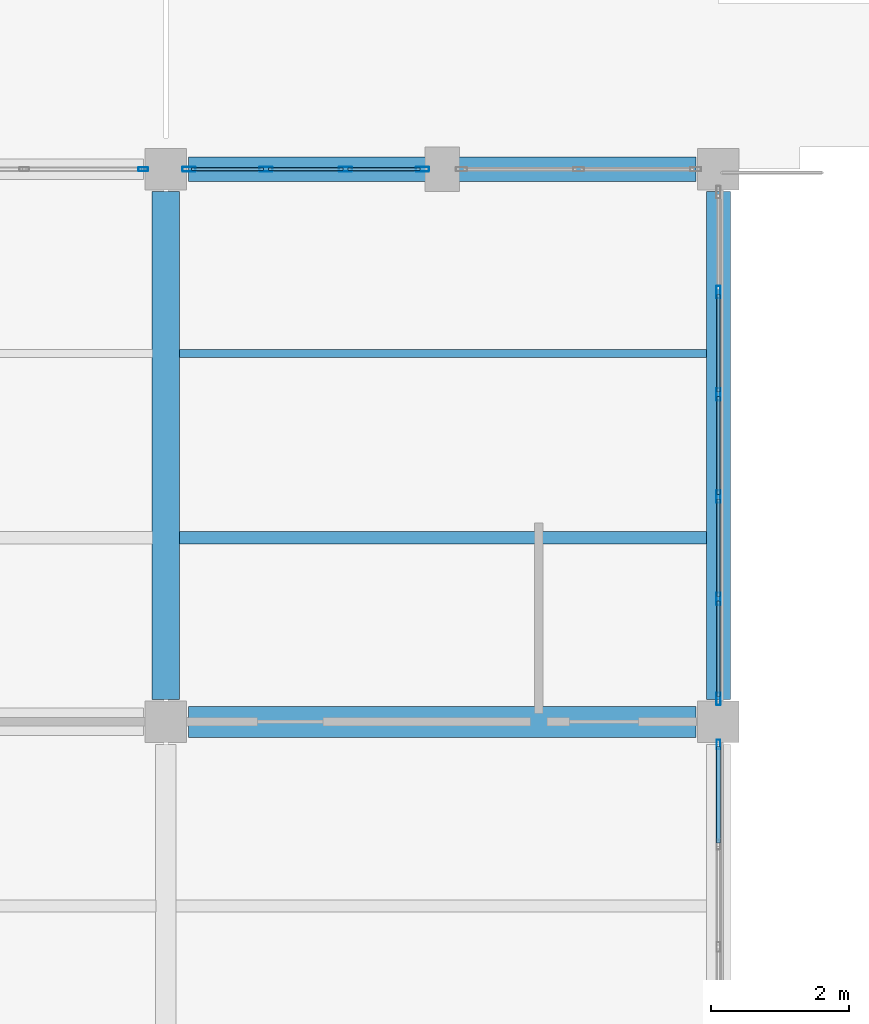
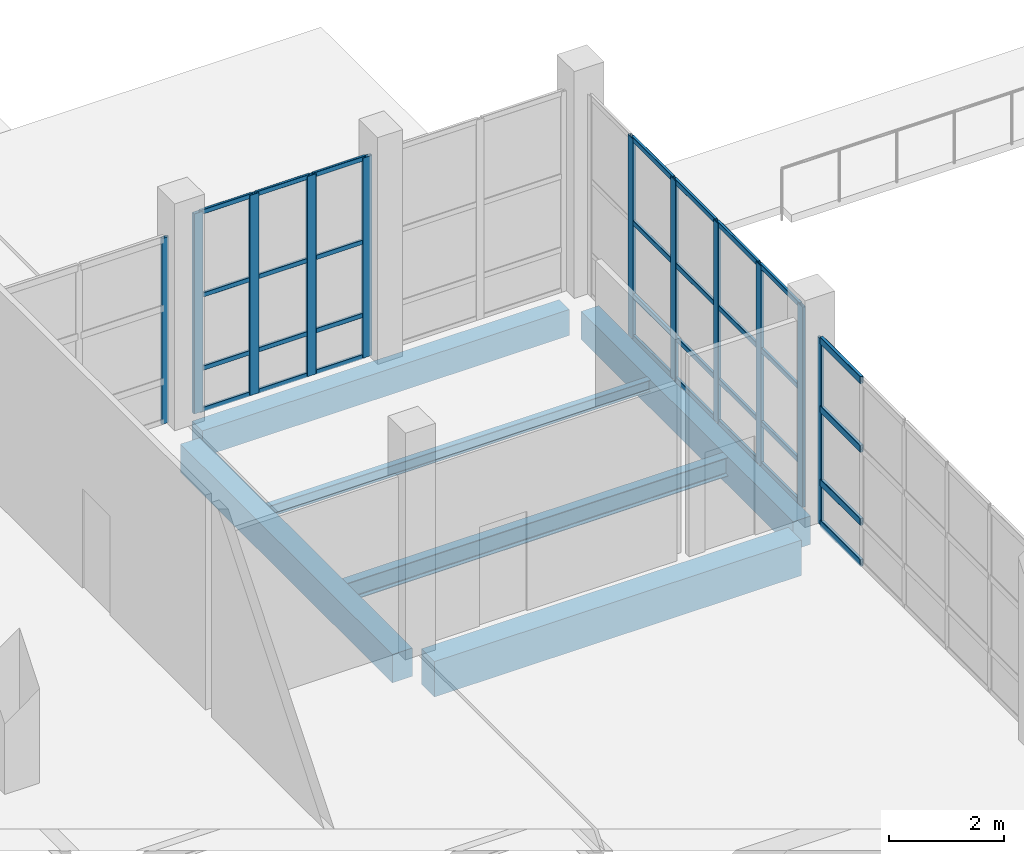
# One storey, part 25 of 156: 43 members, 6 beams, 4 elements without a shape of their own.
"""IFC4 building model written with IfcOpenShell, lengths in metres."""

from ifc_helpers import new_model, si_unit, direction, frame, origin, origin_2d, place, context, subcontext, project, spatial, rectangle, hollow_rectangle, i_section, extrude, material, material_profile, profile_set, type_object, element, aggregate, save


model = new_model("IFC4")

# Units and contexts
model_context = context("Model", 3, precision=1e-05, world=origin(), true_north=direction((0.0, 1.0)))
body_context = subcontext(model_context, "Body", "Model", "MODEL_VIEW")
ifc_project = project(units=[si_unit("LENGTHUNIT", "METRE"), si_unit("AREAUNIT", "SQUARE_METRE"), si_unit("VOLUMEUNIT", "CUBIC_METRE"), si_unit("PLANEANGLEUNIT", "RADIAN"), si_unit("MASSUNIT", "GRAM", prefix="KILO")], contexts=[model_context])

# Site, building, storey
site_placement = place(None, origin())
site = spatial("IfcSite", under=ifc_project, at=site_placement, CompositionType="ELEMENT")
building_placement = place(site_placement, origin())
building = spatial("IfcBuilding", under=site, at=building_placement, Name="Luwemba Playhouse", CompositionType="ELEMENT")
storey_placement = place(building_placement, origin())
storey = spatial("IfcBuildingStorey", under=building, at=storey_placement, Name="L00", CompositionType="ELEMENT", Elevation=0.0)

# Beams
ifc_material_1 = material(Name="Concrete C40/50", Category="concrete")
ifc_material_profile_1 = material_profile(ifc_material_1, rectangle(XDim=0.39990234375, YDim=0.60009765625, at=origin_2d()))
ifc_profile_set_1 = profile_set([ifc_material_profile_1], Name="Concrete C40/50")
beam_type_1 = type_object("IfcBeamType", Name="BM-RB01", PredefinedType="BEAM", material=ifc_profile_set_1)
beam_1_placement = place(storey_placement, frame((52.0, 19.324951171875, -0.60009765625), z_axis=(0.0, 1.0, 0.0), x_axis=(-1.0, 0.0, 0.0)))
element("IfcBeam", 1, at=beam_1_placement, inside=storey, type_object=beam_type_1, Name="L00 transverse girder 0198", PredefinedType="BEAM", context=body_context, shape_type="SweptSolid", body=[
    extrude(rectangle(XDim=0.39990234375, YDim=0.60009765625, at=origin_2d()), origin(), (0.0, 0.0, 1.0), 7.35009765625),
])
ifc_material_profile_2 = material_profile(ifc_material_1, rectangle(XDim=0.449951171875, YDim=0.75, at=origin_2d()))
ifc_profile_set_2 = profile_set([ifc_material_profile_2], Name="Concrete C40/50")
beam_type_2 = type_object("IfcBeamType", Name="BM-RB04", PredefinedType="BEAM", material=ifc_profile_set_2)
beam_2_placement = place(storey_placement, frame((52.324951171875, 19.0, -0.675048828125), z_axis=(1.0, 0.0, 0.0), x_axis=(0.0, 1.0, 0.0)))
element("IfcBeam", 2, at=beam_2_placement, inside=storey, type_object=beam_type_2, Name="L00 grid girder 0170", PredefinedType="BEAM", context=body_context, shape_type="SweptSolid", body=[
    extrude(rectangle(XDim=0.449951171875, YDim=0.75, at=origin_2d()), origin(), (0.0, 0.0, 1.0), 7.35009765625),
])
ifc_material_2 = material(Name="Steel S355", Category="steel")
ifc_material_profile_3 = material_profile(ifc_material_2, i_section(OverallWidth=0.1201171875, OverallDepth=0.239990234375, WebThickness=0.006103515625, FlangeThickness=0.009765625, FilletRadius=0.014892578125, at=origin_2d()))
ifc_profile_set_3 = profile_set([ifc_material_profile_3], Name="Steel S355")
beam_type_3 = type_object("IfcBeamType", Name="BM-SJ03", PredefinedType="JOIST", material=ifc_profile_set_3)
beam_3_placement = place(storey_placement, frame((52.196044921875, 24.333251953125, -0.419921875), z_axis=(1.0, 0.0, 0.0), x_axis=(0.0, 1.0, 0.0)))
element("IfcBeam", 3, at=beam_3_placement, inside=storey, type_object=beam_type_3, Name="L00 composite floor joist 0155", PredefinedType="JOIST", context=body_context, shape_type="SweptSolid", body=[
    extrude(i_section(OverallWidth=0.1201171875, OverallDepth=0.239990234375, WebThickness=0.006103515625, FlangeThickness=0.009765625, FilletRadius=0.014892578125, at=origin_2d()), origin(), (0.0, 0.0, 1.0), 7.633056640625),
])
ifc_material_profile_4 = material_profile(ifc_material_2, i_section(OverallWidth=0.179931640625, OverallDepth=0.39990234375, WebThickness=0.008544921875, FlangeThickness=0.013427734375, FilletRadius=0.02099609375, at=origin_2d()))
ifc_profile_set_4 = profile_set([ifc_material_profile_4], Name="Steel S355")
beam_type_4 = type_object("IfcBeamType", Name="BM-SJ08", PredefinedType="JOIST", material=ifc_profile_set_4)
beam_4_placement = place(storey_placement, frame((52.196044921875, 21.666748046875, -0.5), z_axis=(1.0, 0.0, 0.0), x_axis=(0.0, 1.0, 0.0)))
element("IfcBeam", 4, at=beam_4_placement, inside=storey, type_object=beam_type_4, Name="L00 composite floor joist 0154", PredefinedType="JOIST", context=body_context, shape_type="SweptSolid", body=[
    extrude(i_section(OverallWidth=0.179931640625, OverallDepth=0.39990234375, WebThickness=0.008544921875, FlangeThickness=0.013427734375, FilletRadius=0.02099609375, at=origin_2d()), origin(), (0.0, 0.0, 1.0), 7.633056640625),
])
ifc_material_profile_5 = material_profile(ifc_material_1, rectangle(XDim=0.35009765625, YDim=0.550048828125, at=origin_2d()))
ifc_profile_set_5 = profile_set([ifc_material_profile_5], Name="Concrete C40/50")
beam_type_5 = type_object("IfcBeamType", Name="BM-SP2", PredefinedType="SPANDREL", material=ifc_profile_set_5)
beam_5_placement = place(storey_placement, frame((52.324951171875, 27.0, -0.574951171875), z_axis=(1.0, 0.0, 0.0), x_axis=(0.0, 1.0, 0.0)))
element("IfcBeam", 5, at=beam_5_placement, inside=storey, type_object=beam_type_5, Name="L00 grid girder 0177", PredefinedType="SPANDREL", context=body_context, shape_type="SweptSolid", body=[
    extrude(rectangle(XDim=0.35009765625, YDim=0.550048828125, at=origin_2d()), origin(), (0.0, 0.0, 1.0), 7.35009765625),
])
ifc_material_profile_6 = material_profile(ifc_material_1, rectangle(XDim=0.35009765625, YDim=0.60009765625, at=origin_2d()))
ifc_profile_set_6 = profile_set([ifc_material_profile_6], Name="Concrete C40/50")
beam_type_6 = type_object("IfcBeamType", Name="BM-SP3", PredefinedType="SPANDREL", material=ifc_profile_set_6)
beam_6_placement = place(storey_placement, frame((60.0, 19.324951171875, -0.60009765625), z_axis=(0.0, 1.0, 0.0), x_axis=(-1.0, 0.0, 0.0)))
element("IfcBeam", 6, at=beam_6_placement, inside=storey, type_object=beam_type_6, Name="L00 transverse girder 0201", PredefinedType="SPANDREL", context=body_context, shape_type="SweptSolid", body=[
    extrude(rectangle(XDim=0.35009765625, YDim=0.60009765625, at=origin_2d()), origin(), (0.0, 0.0, 1.0), 7.35009765625),
])

# Curtain wall, members
ifc_material_3 = material(Name="Solar-control double glazing", Category="glass")
curtain_wall_type_1 = type_object("IfcCurtainWallType", Name="CW-CW36", PredefinedType="USERDEFINED", material=ifc_material_3)
curtain_wall_1_placement = place(storey_placement, origin())
curtain_wall_1 = element("IfcCurtainWall", 7, at=curtain_wall_1_placement, inside=storey, type_object=curtain_wall_type_1, Name="L00 V5W unitised curtain wall 040", ObjectType="UNITISED GLAZING", PredefinedType="USERDEFINED")
ifc_material_4 = material(Name="Aluminium 6063-T6", Category="aluminium")
ifc_material_profile_7 = material_profile(ifc_material_4, hollow_rectangle(XDim=0.06494140625, YDim=0.179931640625, WallThickness=0.00439453125, InnerFilletRadius=0.0068359375, OuterFilletRadius=0.01123046875, at=origin_2d()))
ifc_profile_set_7 = profile_set([ifc_material_profile_7], Name="Aluminium 6063-T6")
member_type_1 = type_object("IfcMemberType", Name="CWM-M2", PredefinedType="MULLION", material=ifc_profile_set_7)
member_1_placement = place(storey_placement, frame((60.0, 25.219970703125, 0.0), z_axis=(0.0, 0.0, 1.0), x_axis=(1.0, 0.0, 0.0)))
member_1 = element("IfcMember", 8, at=member_1_placement, type_object=member_type_1, Name="CW36 mullion 2", PredefinedType="MULLION", context=body_context, shape_type="SweptSolid", body=[
    extrude(hollow_rectangle(XDim=0.06494140625, YDim=0.179931640625, WallThickness=0.00439453125, InnerFilletRadius=0.0068359375, OuterFilletRadius=0.01123046875, at=origin_2d()), origin(), (0.0, 0.0, 1.0), 4.235107421875),
])
member_2_placement = place(storey_placement, frame((60.0, 23.739990234375, 0.0), z_axis=(0.0, 0.0, 1.0), x_axis=(1.0, 0.0, 0.0)))
member_2 = element("IfcMember", 9, at=member_2_placement, type_object=member_type_1, Name="CW36 mullion 3", PredefinedType="MULLION", context=body_context, shape_type="SweptSolid", body=[
    extrude(hollow_rectangle(XDim=0.06494140625, YDim=0.179931640625, WallThickness=0.00439453125, InnerFilletRadius=0.0068359375, OuterFilletRadius=0.01123046875, at=origin_2d()), origin(), (0.0, 0.0, 1.0), 4.235107421875),
])
member_3_placement = place(storey_placement, frame((60.0, 22.260009765625, 0.0), z_axis=(0.0, 0.0, 1.0), x_axis=(1.0, 0.0, 0.0)))
member_3 = element("IfcMember", 10, at=member_3_placement, type_object=member_type_1, Name="CW36 mullion 4", PredefinedType="MULLION", context=body_context, shape_type="SweptSolid", body=[
    extrude(hollow_rectangle(XDim=0.06494140625, YDim=0.179931640625, WallThickness=0.00439453125, InnerFilletRadius=0.0068359375, OuterFilletRadius=0.01123046875, at=origin_2d()), origin(), (0.0, 0.0, 1.0), 4.235107421875),
])
member_4_placement = place(storey_placement, frame((60.0, 20.780029296875, 0.0), z_axis=(0.0, 0.0, 1.0), x_axis=(1.0, 0.0, 0.0)))
member_4 = element("IfcMember", 11, at=member_4_placement, type_object=member_type_1, Name="CW36 mullion 5", PredefinedType="MULLION", context=body_context, shape_type="SweptSolid", body=[
    extrude(hollow_rectangle(XDim=0.06494140625, YDim=0.179931640625, WallThickness=0.00439453125, InnerFilletRadius=0.0068359375, OuterFilletRadius=0.01123046875, at=origin_2d()), origin(), (0.0, 0.0, 1.0), 4.235107421875),
])
member_5_placement = place(storey_placement, frame((60.0, 19.33251953125, 0.0), z_axis=(0.0, 0.0, 1.0), x_axis=(1.0, 0.0, 0.0)))
member_5 = element("IfcMember", 12, at=member_5_placement, type_object=member_type_1, Name="CW36 mullion 6", PredefinedType="MULLION", context=body_context, shape_type="SweptSolid", body=[
    extrude(hollow_rectangle(XDim=0.06494140625, YDim=0.179931640625, WallThickness=0.00439453125, InnerFilletRadius=0.0068359375, OuterFilletRadius=0.01123046875, at=origin_2d()), origin(), (0.0, 0.0, 1.0), 4.235107421875),
])

# Curtain wall, member
curtain_wall_type_2 = type_object("IfcCurtainWallType", Name="CW-CW34", PredefinedType="USERDEFINED", material=ifc_material_3)
curtain_wall_2_placement = place(storey_placement, origin())
curtain_wall_2 = element("IfcCurtainWall", 13, at=curtain_wall_2_placement, inside=storey, type_object=curtain_wall_type_2, Name="L00 V5W unitised curtain wall 037", ObjectType="UNITISED GLAZING", PredefinedType="USERDEFINED")
ifc_material_profile_8 = material_profile(ifc_material_4, hollow_rectangle(XDim=0.054931640625, YDim=0.139892578125, WallThickness=0.00390625, InnerFilletRadius=0.006103515625, OuterFilletRadius=0.010009765625, at=origin_2d()))
ifc_profile_set_8 = profile_set([ifc_material_profile_8], Name="Aluminium 6063-T6")
member_type_2 = type_object("IfcMemberType", Name="CWM-M3", PredefinedType="MULLION", material=ifc_profile_set_8)
member_6_placement = place(storey_placement, frame((51.672607421875, 27.0, 0.0), z_axis=(0.0, 0.0, 1.0), x_axis=(0.0, 1.0, 0.0)))
member_6 = element("IfcMember", 14, at=member_6_placement, type_object=member_type_2, Name="CW34 mullion 3", PredefinedType="MULLION", context=body_context, shape_type="SweptSolid", body=[
    extrude(hollow_rectangle(XDim=0.054931640625, YDim=0.139892578125, WallThickness=0.00390625, InnerFilletRadius=0.006103515625, OuterFilletRadius=0.010009765625, at=origin_2d()), origin(), (0.0, 0.0, 1.0), 3.93505859375),
])
aggregate(curtain_wall_2, [member_6])

curtain_wall_type_3 = type_object("IfcCurtainWallType", Name="CW-CW37", PredefinedType="USERDEFINED", material=ifc_material_3)
curtain_wall_3_placement = place(storey_placement, origin())
curtain_wall_3 = element("IfcCurtainWall", 15, at=curtain_wall_3_placement, inside=storey, type_object=curtain_wall_type_3, Name="L00 V5W unitised curtain wall 041", ObjectType="UNITISED GLAZING", PredefinedType="USERDEFINED")
member_7_placement = place(storey_placement, frame((60.0, 18.672607421875, 0.0), z_axis=(0.0, 0.0, 1.0), x_axis=(1.0, 0.0, 0.0)))
member_7 = element("IfcMember", 16, at=member_7_placement, type_object=member_type_2, Name="CW37 mullion 1", PredefinedType="MULLION", context=body_context, shape_type="SweptSolid", body=[
    extrude(hollow_rectangle(XDim=0.054931640625, YDim=0.139892578125, WallThickness=0.00390625, InnerFilletRadius=0.006103515625, OuterFilletRadius=0.010009765625, at=origin_2d()), origin(), (0.0, 0.0, 1.0), 3.93505859375),
])

# Curtain wall, members
curtain_wall_type_4 = type_object("IfcCurtainWallType", Name="CW-CW35", PredefinedType="USERDEFINED", material=ifc_material_3)
curtain_wall_4_placement = place(storey_placement, origin())
curtain_wall_4 = element("IfcCurtainWall", 17, at=curtain_wall_4_placement, inside=storey, type_object=curtain_wall_type_4, Name="L00 V5W unitised curtain wall 038", ObjectType="UNITISED GLAZING", PredefinedType="USERDEFINED")
ifc_material_profile_9 = material_profile(ifc_material_4, hollow_rectangle(XDim=0.070068359375, YDim=0.18994140625, WallThickness=0.0048828125, InnerFilletRadius=0.007568359375, OuterFilletRadius=0.012451171875, at=origin_2d()))
ifc_profile_set_9 = profile_set([ifc_material_profile_9], Name="Aluminium 6063-T6")
member_type_3 = type_object("IfcMemberType", Name="CWM-M4", PredefinedType="MULLION", material=ifc_profile_set_9)
member_8_placement = place(storey_placement, frame((52.3349609375, 27.0, 0.0), z_axis=(0.0, 0.0, 1.0), x_axis=(0.0, 1.0, 0.0)))
member_8 = element("IfcMember", 18, at=member_8_placement, type_object=member_type_3, Name="CW35 mullion 1", PredefinedType="MULLION", context=body_context, shape_type="SweptSolid", body=[
    extrude(hollow_rectangle(XDim=0.070068359375, YDim=0.18994140625, WallThickness=0.0048828125, InnerFilletRadius=0.007568359375, OuterFilletRadius=0.012451171875, at=origin_2d()), origin(), (0.0, 0.0, 1.0), 4.235107421875),
])
member_9_placement = place(storey_placement, frame((53.449951171875, 27.0, 0.0), z_axis=(0.0, 0.0, 1.0), x_axis=(0.0, 1.0, 0.0)))
member_9 = element("IfcMember", 19, at=member_9_placement, type_object=member_type_3, Name="CW35 mullion 2", PredefinedType="MULLION", context=body_context, shape_type="SweptSolid", body=[
    extrude(hollow_rectangle(XDim=0.070068359375, YDim=0.18994140625, WallThickness=0.0048828125, InnerFilletRadius=0.007568359375, OuterFilletRadius=0.012451171875, at=origin_2d()), origin(), (0.0, 0.0, 1.0), 4.235107421875),
])
member_10_placement = place(storey_placement, frame((54.60009765625, 27.0, 0.0), z_axis=(0.0, 0.0, 1.0), x_axis=(0.0, 1.0, 0.0)))
member_10 = element("IfcMember", 20, at=member_10_placement, type_object=member_type_3, Name="CW35 mullion 3", PredefinedType="MULLION", context=body_context, shape_type="SweptSolid", body=[
    extrude(hollow_rectangle(XDim=0.070068359375, YDim=0.18994140625, WallThickness=0.0048828125, InnerFilletRadius=0.007568359375, OuterFilletRadius=0.012451171875, at=origin_2d()), origin(), (0.0, 0.0, 1.0), 4.235107421875),
])
member_11_placement = place(storey_placement, frame((55.715087890625, 27.0, 0.0), z_axis=(0.0, 0.0, 1.0), x_axis=(0.0, 1.0, 0.0)))
member_11 = element("IfcMember", 21, at=member_11_placement, type_object=member_type_3, Name="CW35 mullion 4", PredefinedType="MULLION", context=body_context, shape_type="SweptSolid", body=[
    extrude(hollow_rectangle(XDim=0.070068359375, YDim=0.18994140625, WallThickness=0.0048828125, InnerFilletRadius=0.007568359375, OuterFilletRadius=0.012451171875, at=origin_2d()), origin(), (0.0, 0.0, 1.0), 4.235107421875),
])

# Member
ifc_material_profile_10 = material_profile(ifc_material_4, hollow_rectangle(XDim=0.054931640625, YDim=0.110107421875, WallThickness=0.00341796875, InnerFilletRadius=0.00537109375, OuterFilletRadius=0.0087890625, at=origin_2d()))
ifc_profile_set_10 = profile_set([ifc_material_profile_10], Name="Aluminium 6063-T6")
member_type_4 = type_object("IfcMemberType", Name="CWT-T2", PredefinedType="USERDEFINED", material=ifc_profile_set_10)
member_12_placement = place(storey_placement, frame((60.0, 25.1875, 0.027587890625), z_axis=(0.0, -1.0, 0.0), x_axis=(1.0, 0.0, 0.0)))
member_12 = element("IfcMember", 22, at=member_12_placement, type_object=member_type_4, Name="CW36 transom 2.1", ObjectType="TRANSOM", PredefinedType="USERDEFINED", context=body_context, shape_type="SweptSolid", body=[
    extrude(hollow_rectangle(XDim=0.054931640625, YDim=0.110107421875, WallThickness=0.00341796875, InnerFilletRadius=0.00537109375, OuterFilletRadius=0.0087890625, at=origin_2d()), origin(), (0.0, 0.0, 1.0), 1.4150390625),
])

member_13_placement = place(storey_placement, frame((60.0, 25.1875, 0.89990234375), z_axis=(0.0, -1.0, 0.0), x_axis=(1.0, 0.0, 0.0)))
member_13 = element("IfcMember", 23, at=member_13_placement, type_object=member_type_4, Name="CW36 transom 2.2", ObjectType="TRANSOM", PredefinedType="USERDEFINED", context=body_context, shape_type="SweptSolid", body=[
    extrude(hollow_rectangle(XDim=0.054931640625, YDim=0.110107421875, WallThickness=0.00341796875, InnerFilletRadius=0.00537109375, OuterFilletRadius=0.0087890625, at=origin_2d()), origin(), (0.0, 0.0, 1.0), 1.4150390625),
])

member_14_placement = place(storey_placement, frame((60.0, 25.1875, 2.449951171875), z_axis=(0.0, -1.0, 0.0), x_axis=(1.0, 0.0, 0.0)))
member_14 = element("IfcMember", 24, at=member_14_placement, type_object=member_type_4, Name="CW36 transom 2.3", ObjectType="TRANSOM", PredefinedType="USERDEFINED", context=body_context, shape_type="SweptSolid", body=[
    extrude(hollow_rectangle(XDim=0.054931640625, YDim=0.110107421875, WallThickness=0.00341796875, InnerFilletRadius=0.00537109375, OuterFilletRadius=0.0087890625, at=origin_2d()), origin(), (0.0, 0.0, 1.0), 1.4150390625),
])

member_15_placement = place(storey_placement, frame((60.0, 25.1875, 4.20751953125), z_axis=(0.0, -1.0, 0.0), x_axis=(1.0, 0.0, 0.0)))
member_15 = element("IfcMember", 25, at=member_15_placement, type_object=member_type_4, Name="CW36 transom 2.4", ObjectType="TRANSOM", PredefinedType="USERDEFINED", context=body_context, shape_type="SweptSolid", body=[
    extrude(hollow_rectangle(XDim=0.054931640625, YDim=0.110107421875, WallThickness=0.00341796875, InnerFilletRadius=0.00537109375, OuterFilletRadius=0.0087890625, at=origin_2d()), origin(), (0.0, 0.0, 1.0), 1.4150390625),
])

member_16_placement = place(storey_placement, frame((60.0, 23.70751953125, 0.027587890625), z_axis=(0.0, -1.0, 0.0), x_axis=(1.0, 0.0, 0.0)))
member_16 = element("IfcMember", 26, at=member_16_placement, type_object=member_type_4, Name="CW36 transom 3.1", ObjectType="TRANSOM", PredefinedType="USERDEFINED", context=body_context, shape_type="SweptSolid", body=[
    extrude(hollow_rectangle(XDim=0.054931640625, YDim=0.110107421875, WallThickness=0.00341796875, InnerFilletRadius=0.00537109375, OuterFilletRadius=0.0087890625, at=origin_2d()), origin(), (0.0, 0.0, 1.0), 1.4150390625),
])

member_17_placement = place(storey_placement, frame((60.0, 23.70751953125, 0.89990234375), z_axis=(0.0, -1.0, 0.0), x_axis=(1.0, 0.0, 0.0)))
member_17 = element("IfcMember", 27, at=member_17_placement, type_object=member_type_4, Name="CW36 transom 3.2", ObjectType="TRANSOM", PredefinedType="USERDEFINED", context=body_context, shape_type="SweptSolid", body=[
    extrude(hollow_rectangle(XDim=0.054931640625, YDim=0.110107421875, WallThickness=0.00341796875, InnerFilletRadius=0.00537109375, OuterFilletRadius=0.0087890625, at=origin_2d()), origin(), (0.0, 0.0, 1.0), 1.4150390625),
])

member_18_placement = place(storey_placement, frame((60.0, 23.70751953125, 2.449951171875), z_axis=(0.0, -1.0, 0.0), x_axis=(1.0, 0.0, 0.0)))
member_18 = element("IfcMember", 28, at=member_18_placement, type_object=member_type_4, Name="CW36 transom 3.3", ObjectType="TRANSOM", PredefinedType="USERDEFINED", context=body_context, shape_type="SweptSolid", body=[
    extrude(hollow_rectangle(XDim=0.054931640625, YDim=0.110107421875, WallThickness=0.00341796875, InnerFilletRadius=0.00537109375, OuterFilletRadius=0.0087890625, at=origin_2d()), origin(), (0.0, 0.0, 1.0), 1.4150390625),
])

member_19_placement = place(storey_placement, frame((60.0, 23.70751953125, 4.20751953125), z_axis=(0.0, -1.0, 0.0), x_axis=(1.0, 0.0, 0.0)))
member_19 = element("IfcMember", 29, at=member_19_placement, type_object=member_type_4, Name="CW36 transom 3.4", ObjectType="TRANSOM", PredefinedType="USERDEFINED", context=body_context, shape_type="SweptSolid", body=[
    extrude(hollow_rectangle(XDim=0.054931640625, YDim=0.110107421875, WallThickness=0.00341796875, InnerFilletRadius=0.00537109375, OuterFilletRadius=0.0087890625, at=origin_2d()), origin(), (0.0, 0.0, 1.0), 1.4150390625),
])

member_20_placement = place(storey_placement, frame((60.0, 22.2275390625, 0.027587890625), z_axis=(0.0, -1.0, 0.0), x_axis=(1.0, 0.0, 0.0)))
member_20 = element("IfcMember", 30, at=member_20_placement, type_object=member_type_4, Name="CW36 transom 4.1", ObjectType="TRANSOM", PredefinedType="USERDEFINED", context=body_context, shape_type="SweptSolid", body=[
    extrude(hollow_rectangle(XDim=0.054931640625, YDim=0.110107421875, WallThickness=0.00341796875, InnerFilletRadius=0.00537109375, OuterFilletRadius=0.0087890625, at=origin_2d()), origin(), (0.0, 0.0, 1.0), 1.4150390625),
])

member_21_placement = place(storey_placement, frame((60.0, 22.2275390625, 0.89990234375), z_axis=(0.0, -1.0, 0.0), x_axis=(1.0, 0.0, 0.0)))
member_21 = element("IfcMember", 31, at=member_21_placement, type_object=member_type_4, Name="CW36 transom 4.2", ObjectType="TRANSOM", PredefinedType="USERDEFINED", context=body_context, shape_type="SweptSolid", body=[
    extrude(hollow_rectangle(XDim=0.054931640625, YDim=0.110107421875, WallThickness=0.00341796875, InnerFilletRadius=0.00537109375, OuterFilletRadius=0.0087890625, at=origin_2d()), origin(), (0.0, 0.0, 1.0), 1.4150390625),
])

member_22_placement = place(storey_placement, frame((60.0, 22.2275390625, 2.449951171875), z_axis=(0.0, -1.0, 0.0), x_axis=(1.0, 0.0, 0.0)))
member_22 = element("IfcMember", 32, at=member_22_placement, type_object=member_type_4, Name="CW36 transom 4.3", ObjectType="TRANSOM", PredefinedType="USERDEFINED", context=body_context, shape_type="SweptSolid", body=[
    extrude(hollow_rectangle(XDim=0.054931640625, YDim=0.110107421875, WallThickness=0.00341796875, InnerFilletRadius=0.00537109375, OuterFilletRadius=0.0087890625, at=origin_2d()), origin(), (0.0, 0.0, 1.0), 1.4150390625),
])

member_23_placement = place(storey_placement, frame((60.0, 22.2275390625, 4.20751953125), z_axis=(0.0, -1.0, 0.0), x_axis=(1.0, 0.0, 0.0)))
member_23 = element("IfcMember", 33, at=member_23_placement, type_object=member_type_4, Name="CW36 transom 4.4", ObjectType="TRANSOM", PredefinedType="USERDEFINED", context=body_context, shape_type="SweptSolid", body=[
    extrude(hollow_rectangle(XDim=0.054931640625, YDim=0.110107421875, WallThickness=0.00341796875, InnerFilletRadius=0.00537109375, OuterFilletRadius=0.0087890625, at=origin_2d()), origin(), (0.0, 0.0, 1.0), 1.4150390625),
])

member_24_placement = place(storey_placement, frame((60.0, 20.74755859375, 0.027587890625), z_axis=(0.0, -1.0, 0.0), x_axis=(1.0, 0.0, 0.0)))
member_24 = element("IfcMember", 34, at=member_24_placement, type_object=member_type_4, Name="CW36 transom 5.1", ObjectType="TRANSOM", PredefinedType="USERDEFINED", context=body_context, shape_type="SweptSolid", body=[
    extrude(hollow_rectangle(XDim=0.054931640625, YDim=0.110107421875, WallThickness=0.00341796875, InnerFilletRadius=0.00537109375, OuterFilletRadius=0.0087890625, at=origin_2d()), origin(), (0.0, 0.0, 1.0), 1.382568359375),
])

member_25_placement = place(storey_placement, frame((60.0, 20.74755859375, 0.89990234375), z_axis=(0.0, -1.0, 0.0), x_axis=(1.0, 0.0, 0.0)))
member_25 = element("IfcMember", 35, at=member_25_placement, type_object=member_type_4, Name="CW36 transom 5.2", ObjectType="TRANSOM", PredefinedType="USERDEFINED", context=body_context, shape_type="SweptSolid", body=[
    extrude(hollow_rectangle(XDim=0.054931640625, YDim=0.110107421875, WallThickness=0.00341796875, InnerFilletRadius=0.00537109375, OuterFilletRadius=0.0087890625, at=origin_2d()), origin(), (0.0, 0.0, 1.0), 1.382568359375),
])

member_26_placement = place(storey_placement, frame((60.0, 20.74755859375, 2.449951171875), z_axis=(0.0, -1.0, 0.0), x_axis=(1.0, 0.0, 0.0)))
member_26 = element("IfcMember", 36, at=member_26_placement, type_object=member_type_4, Name="CW36 transom 5.3", ObjectType="TRANSOM", PredefinedType="USERDEFINED", context=body_context, shape_type="SweptSolid", body=[
    extrude(hollow_rectangle(XDim=0.054931640625, YDim=0.110107421875, WallThickness=0.00341796875, InnerFilletRadius=0.00537109375, OuterFilletRadius=0.0087890625, at=origin_2d()), origin(), (0.0, 0.0, 1.0), 1.382568359375),
])

member_27_placement = place(storey_placement, frame((60.0, 20.74755859375, 4.20751953125), z_axis=(0.0, -1.0, 0.0), x_axis=(1.0, 0.0, 0.0)))
member_27 = element("IfcMember", 37, at=member_27_placement, type_object=member_type_4, Name="CW36 transom 5.4", ObjectType="TRANSOM", PredefinedType="USERDEFINED", context=body_context, shape_type="SweptSolid", body=[
    extrude(hollow_rectangle(XDim=0.054931640625, YDim=0.110107421875, WallThickness=0.00341796875, InnerFilletRadius=0.00537109375, OuterFilletRadius=0.0087890625, at=origin_2d()), origin(), (0.0, 0.0, 1.0), 1.382568359375),
])

aggregate(curtain_wall_1, [member_1, member_2, member_3, member_4, member_5, member_12, member_13, member_14, member_15, member_16, member_17, member_18, member_19, member_20, member_21, member_22, member_23, member_24, member_25, member_26, member_27])

ifc_material_profile_11 = material_profile(ifc_material_4, hollow_rectangle(XDim=0.06494140625, YDim=0.14990234375, WallThickness=0.00390625, InnerFilletRadius=0.006103515625, OuterFilletRadius=0.010009765625, at=origin_2d()))
ifc_profile_set_11 = profile_set([ifc_material_profile_11], Name="Aluminium 6063-T6")
member_type_5 = type_object("IfcMemberType", Name="CWT-T3", PredefinedType="USERDEFINED", material=ifc_profile_set_11)
member_28_placement = place(storey_placement, frame((60.0, 18.64501953125, 0.032470703125), z_axis=(0.0, -1.0, 0.0), x_axis=(1.0, 0.0, 0.0)))
member_28 = element("IfcMember", 38, at=member_28_placement, type_object=member_type_5, Name="CW37 transom 1.1", ObjectType="TRANSOM", PredefinedType="USERDEFINED", context=body_context, shape_type="SweptSolid", body=[
    extrude(hollow_rectangle(XDim=0.06494140625, YDim=0.14990234375, WallThickness=0.00390625, InnerFilletRadius=0.006103515625, OuterFilletRadius=0.010009765625, at=origin_2d()), origin(), (0.0, 0.0, 1.0), 1.3974609375),
])

member_29_placement = place(storey_placement, frame((60.0, 18.64501953125, 0.89990234375), z_axis=(0.0, -1.0, 0.0), x_axis=(1.0, 0.0, 0.0)))
member_29 = element("IfcMember", 39, at=member_29_placement, type_object=member_type_5, Name="CW37 transom 1.2", ObjectType="TRANSOM", PredefinedType="USERDEFINED", context=body_context, shape_type="SweptSolid", body=[
    extrude(hollow_rectangle(XDim=0.06494140625, YDim=0.14990234375, WallThickness=0.00390625, InnerFilletRadius=0.006103515625, OuterFilletRadius=0.010009765625, at=origin_2d()), origin(), (0.0, 0.0, 1.0), 1.3974609375),
])

member_30_placement = place(storey_placement, frame((60.0, 18.64501953125, 2.449951171875), z_axis=(0.0, -1.0, 0.0), x_axis=(1.0, 0.0, 0.0)))
member_30 = element("IfcMember", 40, at=member_30_placement, type_object=member_type_5, Name="CW37 transom 1.3", ObjectType="TRANSOM", PredefinedType="USERDEFINED", context=body_context, shape_type="SweptSolid", body=[
    extrude(hollow_rectangle(XDim=0.06494140625, YDim=0.14990234375, WallThickness=0.00390625, InnerFilletRadius=0.006103515625, OuterFilletRadius=0.010009765625, at=origin_2d()), origin(), (0.0, 0.0, 1.0), 1.3974609375),
])

member_31_placement = place(storey_placement, frame((60.0, 18.64501953125, 3.902587890625), z_axis=(0.0, -1.0, 0.0), x_axis=(1.0, 0.0, 0.0)))
member_31 = element("IfcMember", 41, at=member_31_placement, type_object=member_type_5, Name="CW37 transom 1.4", ObjectType="TRANSOM", PredefinedType="USERDEFINED", context=body_context, shape_type="SweptSolid", body=[
    extrude(hollow_rectangle(XDim=0.06494140625, YDim=0.14990234375, WallThickness=0.00390625, InnerFilletRadius=0.006103515625, OuterFilletRadius=0.010009765625, at=origin_2d()), origin(), (0.0, 0.0, 1.0), 1.3974609375),
])

aggregate(curtain_wall_3, [member_7, member_28, member_29, member_30, member_31])

ifc_material_profile_12 = material_profile(ifc_material_4, hollow_rectangle(XDim=0.050048828125, YDim=0.10009765625, WallThickness=0.00341796875, InnerFilletRadius=0.00537109375, OuterFilletRadius=0.0087890625, at=origin_2d()))
ifc_profile_set_12 = profile_set([ifc_material_profile_12], Name="Aluminium 6063-T6")
member_type_6 = type_object("IfcMemberType", Name="CWT-T4", PredefinedType="USERDEFINED", material=ifc_profile_set_12)
member_32_placement = place(storey_placement, frame((52.3701171875, 27.0, 0.02490234375), z_axis=(1.0, 0.0, 0.0), x_axis=(0.0, 1.0, 0.0)))
member_32 = element("IfcMember", 42, at=member_32_placement, type_object=member_type_6, Name="CW35 transom 1.1", ObjectType="TRANSOM", PredefinedType="USERDEFINED", context=body_context, shape_type="SweptSolid", body=[
    extrude(hollow_rectangle(XDim=0.050048828125, YDim=0.10009765625, WallThickness=0.00341796875, InnerFilletRadius=0.00537109375, OuterFilletRadius=0.0087890625, at=origin_2d()), origin(), (0.0, 0.0, 1.0), 1.044921875),
])

member_33_placement = place(storey_placement, frame((52.3701171875, 27.0, 0.89990234375), z_axis=(1.0, 0.0, 0.0), x_axis=(0.0, 1.0, 0.0)))
member_33 = element("IfcMember", 43, at=member_33_placement, type_object=member_type_6, Name="CW35 transom 1.2", ObjectType="TRANSOM", PredefinedType="USERDEFINED", context=body_context, shape_type="SweptSolid", body=[
    extrude(hollow_rectangle(XDim=0.050048828125, YDim=0.10009765625, WallThickness=0.00341796875, InnerFilletRadius=0.00537109375, OuterFilletRadius=0.0087890625, at=origin_2d()), origin(), (0.0, 0.0, 1.0), 1.044921875),
])

member_34_placement = place(storey_placement, frame((52.3701171875, 27.0, 2.449951171875), z_axis=(1.0, 0.0, 0.0), x_axis=(0.0, 1.0, 0.0)))
member_34 = element("IfcMember", 44, at=member_34_placement, type_object=member_type_6, Name="CW35 transom 1.3", ObjectType="TRANSOM", PredefinedType="USERDEFINED", context=body_context, shape_type="SweptSolid", body=[
    extrude(hollow_rectangle(XDim=0.050048828125, YDim=0.10009765625, WallThickness=0.00341796875, InnerFilletRadius=0.00537109375, OuterFilletRadius=0.0087890625, at=origin_2d()), origin(), (0.0, 0.0, 1.0), 1.044921875),
])

member_35_placement = place(storey_placement, frame((52.3701171875, 27.0, 4.2099609375), z_axis=(1.0, 0.0, 0.0), x_axis=(0.0, 1.0, 0.0)))
member_35 = element("IfcMember", 45, at=member_35_placement, type_object=member_type_6, Name="CW35 transom 1.4", ObjectType="TRANSOM", PredefinedType="USERDEFINED", context=body_context, shape_type="SweptSolid", body=[
    extrude(hollow_rectangle(XDim=0.050048828125, YDim=0.10009765625, WallThickness=0.00341796875, InnerFilletRadius=0.00537109375, OuterFilletRadius=0.0087890625, at=origin_2d()), origin(), (0.0, 0.0, 1.0), 1.044921875),
])

member_36_placement = place(storey_placement, frame((53.485107421875, 27.0, 0.02490234375), z_axis=(1.0, 0.0, 0.0), x_axis=(0.0, 1.0, 0.0)))
member_36 = element("IfcMember", 46, at=member_36_placement, type_object=member_type_6, Name="CW35 transom 2.1", ObjectType="TRANSOM", PredefinedType="USERDEFINED", context=body_context, shape_type="SweptSolid", body=[
    extrude(hollow_rectangle(XDim=0.050048828125, YDim=0.10009765625, WallThickness=0.00341796875, InnerFilletRadius=0.00537109375, OuterFilletRadius=0.0087890625, at=origin_2d()), origin(), (0.0, 0.0, 1.0), 1.079833984375),
])

member_37_placement = place(storey_placement, frame((53.485107421875, 27.0, 0.89990234375), z_axis=(1.0, 0.0, 0.0), x_axis=(0.0, 1.0, 0.0)))
member_37 = element("IfcMember", 47, at=member_37_placement, type_object=member_type_6, Name="CW35 transom 2.2", ObjectType="TRANSOM", PredefinedType="USERDEFINED", context=body_context, shape_type="SweptSolid", body=[
    extrude(hollow_rectangle(XDim=0.050048828125, YDim=0.10009765625, WallThickness=0.00341796875, InnerFilletRadius=0.00537109375, OuterFilletRadius=0.0087890625, at=origin_2d()), origin(), (0.0, 0.0, 1.0), 1.079833984375),
])

member_38_placement = place(storey_placement, frame((53.485107421875, 27.0, 2.449951171875), z_axis=(1.0, 0.0, 0.0), x_axis=(0.0, 1.0, 0.0)))
member_38 = element("IfcMember", 48, at=member_38_placement, type_object=member_type_6, Name="CW35 transom 2.3", ObjectType="TRANSOM", PredefinedType="USERDEFINED", context=body_context, shape_type="SweptSolid", body=[
    extrude(hollow_rectangle(XDim=0.050048828125, YDim=0.10009765625, WallThickness=0.00341796875, InnerFilletRadius=0.00537109375, OuterFilletRadius=0.0087890625, at=origin_2d()), origin(), (0.0, 0.0, 1.0), 1.079833984375),
])

member_39_placement = place(storey_placement, frame((53.485107421875, 27.0, 4.2099609375), z_axis=(1.0, 0.0, 0.0), x_axis=(0.0, 1.0, 0.0)))
member_39 = element("IfcMember", 49, at=member_39_placement, type_object=member_type_6, Name="CW35 transom 2.4", ObjectType="TRANSOM", PredefinedType="USERDEFINED", context=body_context, shape_type="SweptSolid", body=[
    extrude(hollow_rectangle(XDim=0.050048828125, YDim=0.10009765625, WallThickness=0.00341796875, InnerFilletRadius=0.00537109375, OuterFilletRadius=0.0087890625, at=origin_2d()), origin(), (0.0, 0.0, 1.0), 1.079833984375),
])

member_40_placement = place(storey_placement, frame((54.635009765625, 27.0, 0.02490234375), z_axis=(1.0, 0.0, 0.0), x_axis=(0.0, 1.0, 0.0)))
member_40 = element("IfcMember", 50, at=member_40_placement, type_object=member_type_6, Name="CW35 transom 3.1", ObjectType="TRANSOM", PredefinedType="USERDEFINED", context=body_context, shape_type="SweptSolid", body=[
    extrude(hollow_rectangle(XDim=0.050048828125, YDim=0.10009765625, WallThickness=0.00341796875, InnerFilletRadius=0.00537109375, OuterFilletRadius=0.0087890625, at=origin_2d()), origin(), (0.0, 0.0, 1.0), 1.044921875),
])

member_41_placement = place(storey_placement, frame((54.635009765625, 27.0, 0.89990234375), z_axis=(1.0, 0.0, 0.0), x_axis=(0.0, 1.0, 0.0)))
member_41 = element("IfcMember", 51, at=member_41_placement, type_object=member_type_6, Name="CW35 transom 3.2", ObjectType="TRANSOM", PredefinedType="USERDEFINED", context=body_context, shape_type="SweptSolid", body=[
    extrude(hollow_rectangle(XDim=0.050048828125, YDim=0.10009765625, WallThickness=0.00341796875, InnerFilletRadius=0.00537109375, OuterFilletRadius=0.0087890625, at=origin_2d()), origin(), (0.0, 0.0, 1.0), 1.044921875),
])

member_42_placement = place(storey_placement, frame((54.635009765625, 27.0, 2.449951171875), z_axis=(1.0, 0.0, 0.0), x_axis=(0.0, 1.0, 0.0)))
member_42 = element("IfcMember", 52, at=member_42_placement, type_object=member_type_6, Name="CW35 transom 3.3", ObjectType="TRANSOM", PredefinedType="USERDEFINED", context=body_context, shape_type="SweptSolid", body=[
    extrude(hollow_rectangle(XDim=0.050048828125, YDim=0.10009765625, WallThickness=0.00341796875, InnerFilletRadius=0.00537109375, OuterFilletRadius=0.0087890625, at=origin_2d()), origin(), (0.0, 0.0, 1.0), 1.044921875),
])

member_43_placement = place(storey_placement, frame((54.635009765625, 27.0, 4.2099609375), z_axis=(1.0, 0.0, 0.0), x_axis=(0.0, 1.0, 0.0)))
member_43 = element("IfcMember", 53, at=member_43_placement, type_object=member_type_6, Name="CW35 transom 3.4", ObjectType="TRANSOM", PredefinedType="USERDEFINED", context=body_context, shape_type="SweptSolid", body=[
    extrude(hollow_rectangle(XDim=0.050048828125, YDim=0.10009765625, WallThickness=0.00341796875, InnerFilletRadius=0.00537109375, OuterFilletRadius=0.0087890625, at=origin_2d()), origin(), (0.0, 0.0, 1.0), 1.044921875),
])

aggregate(curtain_wall_4, [member_8, member_9, member_10, member_11, member_32, member_33, member_34, member_35, member_36, member_37, member_38, member_39, member_40, member_41, member_42, member_43])

save(model, "model.ifc")
